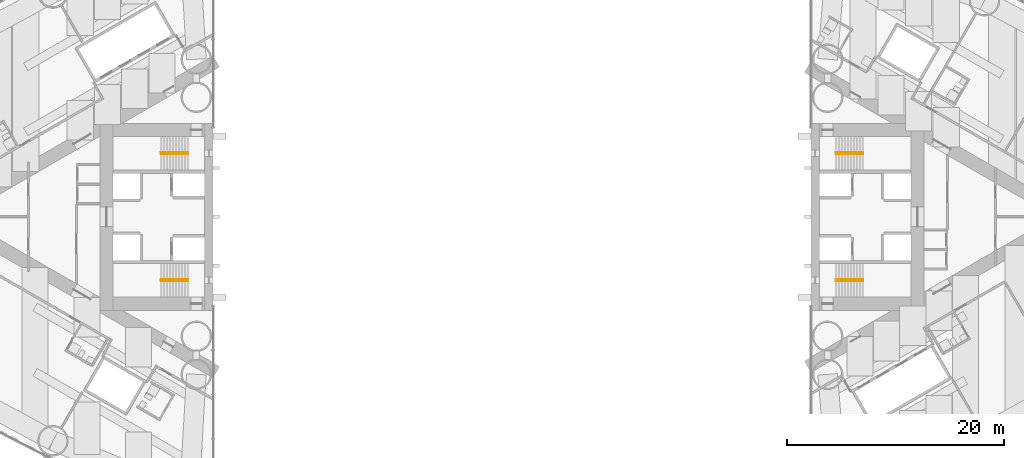
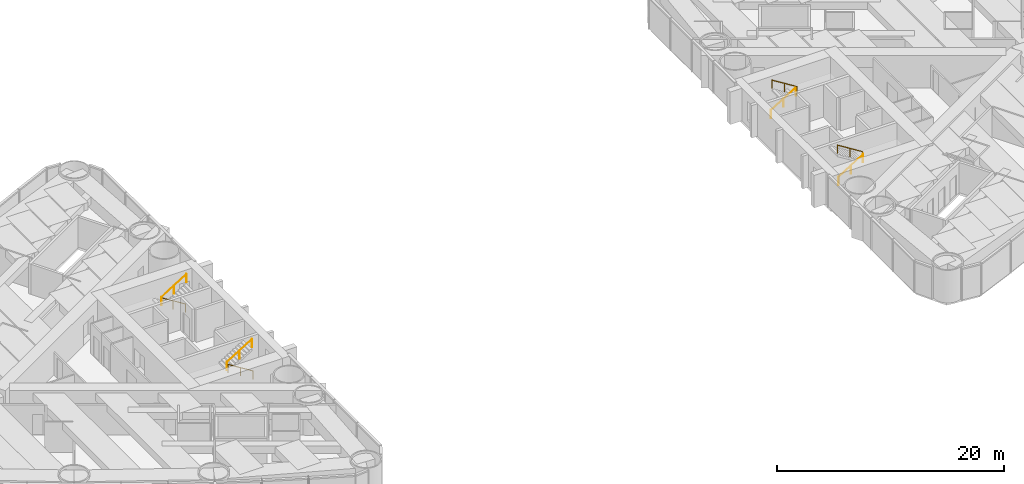
# One storey, part 18 of 19: 8 railings.
"""IFC4 building model written with IfcOpenShell, lengths in metres."""

from ifc_helpers import new_model, si_unit, direction, frame, origin, origin_2d, place, context, subcontext, project, spatial, circle, extrude, material, type_object, element, save


model = new_model("IFC4")

# Units and contexts
model_context = context("Model", 3, precision=1e-05, world=origin(), true_north=direction((0.0, 1.0)))
body_context = subcontext(model_context, "Body", "Model", "MODEL_VIEW")
ifc_project = project(units=[si_unit("LENGTHUNIT", "METRE"), si_unit("AREAUNIT", "SQUARE_METRE"), si_unit("VOLUMEUNIT", "CUBIC_METRE"), si_unit("PLANEANGLEUNIT", "RADIAN"), si_unit("MASSUNIT", "GRAM", prefix="KILO")], contexts=[model_context])

# Site, building, storey
site_placement = place(None, origin())
site = spatial("IfcSite", under=ifc_project, at=site_placement, CompositionType="ELEMENT")
building_placement = place(site_placement, origin())
building = spatial("IfcBuilding", under=site, at=building_placement, Name="Lancet Gate Hotel", CompositionType="ELEMENT")
storey_placement = place(building_placement, frame((0.0, 0.0, 25.0)))
storey = spatial("IfcBuildingStorey", under=building, at=storey_placement, Name="L05", CompositionType="ELEMENT", Elevation=25.0)

# Railings
ifc_material = material(Name="Stainless steel handrail", Category="steel")
railing_type = type_object("IfcRailingType", Name="Stair handrail 900", PredefinedType="HANDRAIL", material=ifc_material)
railing_1_placement = place(storey_placement, frame((-29.800048828125, 5.929931640625, 0.175048828125)))
element("IfcRailing", 1, at=railing_1_placement, inside=storey, type_object=railing_type, Name="ST1 handrail flight 1 L05", PredefinedType="HANDRAIL", context=body_context, shape_type="SweptSolid", body=[
    extrude(circle(Radius=0.02392578125, at=origin_2d()), frame((0.0, 0.0, 0.8759765625), z_axis=(-0.848007534815, 0.0, 0.529984170421), x_axis=(0.0, -1.0, 0.0)), (0.0, 0.0, 1.0), 2.9716796875),
    extrude(circle(Radius=0.02099609375, at=origin_2d()), origin(), (0.0, 0.0, 1.0), 0.851806640625),
    extrude(circle(Radius=0.02099609375, at=origin_2d()), frame((-1.260009765625, 0.0, 0.78759765625)), (0.0, 0.0, 1.0), 0.851806640625),
    extrude(circle(Radius=0.02099609375, at=origin_2d()), frame((-2.52001953125, 0.0, 1.574951171875)), (0.0, 0.0, 1.0), 0.851806640625),
])
railing_2_placement = place(storey_placement, frame((-32.320068359375, 5.77001953125, 1.925048828125)))
element("IfcRailing", 2, at=railing_2_placement, inside=storey, type_object=railing_type, Name="ST1 handrail flight 2 L05", PredefinedType="HANDRAIL", context=body_context, shape_type="SweptSolid", body=[
    extrude(circle(Radius=0.02392578125, at=origin_2d()), frame((0.0, 0.0, 0.8759765625), z_axis=(0.848007534815, 0.0, 0.529984170421), x_axis=(0.0, 1.0, 0.0)), (0.0, 0.0, 1.0), 2.9716796875),
    extrude(circle(Radius=0.02099609375, at=origin_2d()), origin(), (0.0, 0.0, 1.0), 0.851806640625),
    extrude(circle(Radius=0.02099609375, at=origin_2d()), frame((1.260009765625, 0.0, 0.78759765625)), (0.0, 0.0, 1.0), 0.851806640625),
    extrude(circle(Radius=0.02099609375, at=origin_2d()), frame((2.52001953125, 0.0, 1.574951171875)), (0.0, 0.0, 1.0), 0.851806640625),
])
railing_3_placement = place(storey_placement, frame((-29.800048828125, -5.929931640625, 0.175048828125)))
element("IfcRailing", 3, at=railing_3_placement, inside=storey, type_object=railing_type, Name="ST2 handrail flight 1 L05", PredefinedType="HANDRAIL", context=body_context, shape_type="SweptSolid", body=[
    extrude(circle(Radius=0.02392578125, at=origin_2d()), frame((0.0, 0.0, 0.8759765625), z_axis=(-0.848007534815, 0.0, 0.529984170421), x_axis=(0.0, -1.0, 0.0)), (0.0, 0.0, 1.0), 2.9716796875),
    extrude(circle(Radius=0.02099609375, at=origin_2d()), origin(), (0.0, 0.0, 1.0), 0.851806640625),
    extrude(circle(Radius=0.02099609375, at=origin_2d()), frame((-1.260009765625, 0.0, 0.78759765625)), (0.0, 0.0, 1.0), 0.851806640625),
    extrude(circle(Radius=0.02099609375, at=origin_2d()), frame((-2.52001953125, 0.0, 1.574951171875)), (0.0, 0.0, 1.0), 0.851806640625),
])
for number, where, name in (
    (4, (-32.320068359375, -5.77001953125, 1.925048828125), "ST2 handrail flight 2 L05"),
    (5, (29.800048828125, -5.929931640625, 0.175048828125), "ST3 handrail flight 1 L05"),
):
    element("IfcRailing", number, at=place(storey_placement, frame(where)), inside=storey, type_object=railing_type, Name=name, PredefinedType="HANDRAIL", context=body_context, shape_type="SweptSolid", body=[
        extrude(circle(Radius=0.02392578125, at=origin_2d()), frame((0.0, 0.0, 0.8759765625), z_axis=(0.848007534815, 0.0, 0.529984170421), x_axis=(0.0, 1.0, 0.0)), (0.0, 0.0, 1.0), 2.9716796875),
        extrude(circle(Radius=0.02099609375, at=origin_2d()), origin(), (0.0, 0.0, 1.0), 0.851806640625),
        extrude(circle(Radius=0.02099609375, at=origin_2d()), frame((1.260009765625, 0.0, 0.78759765625)), (0.0, 0.0, 1.0), 0.851806640625),
        extrude(circle(Radius=0.02099609375, at=origin_2d()), frame((2.52001953125, 0.0, 1.574951171875)), (0.0, 0.0, 1.0), 0.851806640625),
    ])
railing_4_placement = place(storey_placement, frame((32.320068359375, -5.77001953125, 1.925048828125)))
element("IfcRailing", 6, at=railing_4_placement, inside=storey, type_object=railing_type, Name="ST3 handrail flight 2 L05", PredefinedType="HANDRAIL", context=body_context, shape_type="SweptSolid", body=[
    extrude(circle(Radius=0.02392578125, at=origin_2d()), frame((0.0, 0.0, 0.8759765625), z_axis=(-0.848007534815, 0.0, 0.529984170421), x_axis=(0.0, -1.0, 0.0)), (0.0, 0.0, 1.0), 2.9716796875),
    extrude(circle(Radius=0.02099609375, at=origin_2d()), origin(), (0.0, 0.0, 1.0), 0.851806640625),
    extrude(circle(Radius=0.02099609375, at=origin_2d()), frame((-1.260009765625, 0.0, 0.78759765625)), (0.0, 0.0, 1.0), 0.851806640625),
    extrude(circle(Radius=0.02099609375, at=origin_2d()), frame((-2.52001953125, 0.0, 1.574951171875)), (0.0, 0.0, 1.0), 0.851806640625),
])
railing_5_placement = place(storey_placement, frame((29.800048828125, 5.929931640625, 0.175048828125)))
element("IfcRailing", 7, at=railing_5_placement, inside=storey, type_object=railing_type, Name="ST4 handrail flight 1 L05", PredefinedType="HANDRAIL", context=body_context, shape_type="SweptSolid", body=[
    extrude(circle(Radius=0.02392578125, at=origin_2d()), frame((0.0, 0.0, 0.8759765625), z_axis=(0.848007534815, 0.0, 0.529984170421), x_axis=(0.0, 1.0, 0.0)), (0.0, 0.0, 1.0), 2.9716796875),
    extrude(circle(Radius=0.02099609375, at=origin_2d()), origin(), (0.0, 0.0, 1.0), 0.851806640625),
    extrude(circle(Radius=0.02099609375, at=origin_2d()), frame((1.260009765625, 0.0, 0.78759765625)), (0.0, 0.0, 1.0), 0.851806640625),
    extrude(circle(Radius=0.02099609375, at=origin_2d()), frame((2.52001953125, 0.0, 1.574951171875)), (0.0, 0.0, 1.0), 0.851806640625),
])
railing_6_placement = place(storey_placement, frame((32.320068359375, 5.77001953125, 1.925048828125)))
element("IfcRailing", 8, at=railing_6_placement, inside=storey, type_object=railing_type, Name="ST4 handrail flight 2 L05", PredefinedType="HANDRAIL", context=body_context, shape_type="SweptSolid", body=[
    extrude(circle(Radius=0.02392578125, at=origin_2d()), frame((0.0, 0.0, 0.8759765625), z_axis=(-0.848007534815, 0.0, 0.529984170421), x_axis=(0.0, -1.0, 0.0)), (0.0, 0.0, 1.0), 2.9716796875),
    extrude(circle(Radius=0.02099609375, at=origin_2d()), origin(), (0.0, 0.0, 1.0), 0.851806640625),
    extrude(circle(Radius=0.02099609375, at=origin_2d()), frame((-1.260009765625, 0.0, 0.78759765625)), (0.0, 0.0, 1.0), 0.851806640625),
    extrude(circle(Radius=0.02099609375, at=origin_2d()), frame((-2.52001953125, 0.0, 1.574951171875)), (0.0, 0.0, 1.0), 0.851806640625),
])

save(model, "model.ifc")
